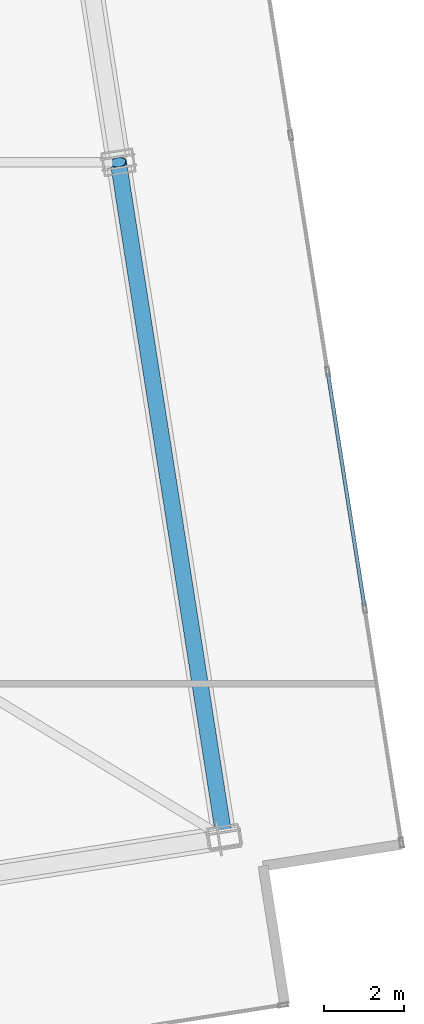
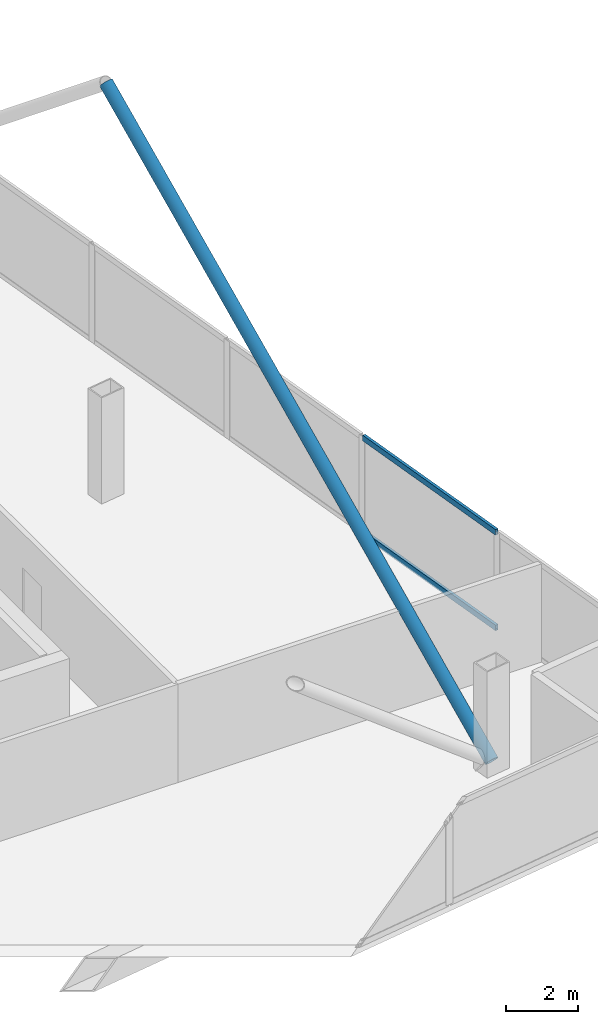
# One storey, part 10 of 21: 3 members, 1 element without a shape of its own.
"""IFC4 building model written with IfcOpenShell, lengths in metres."""

from ifc_helpers import new_model, si_unit, direction, frame, origin, origin_2d, place, context, subcontext, project, spatial, hollow_rectangle, hollow_circle, extrude, material, material_profile, profile_set, type_object, element, aggregate, save


model = new_model("IFC4")

# Units and contexts
model_context = context("Model", 3, precision=1e-05, world=origin(), true_north=direction((0.0, 1.0)))
body_context = subcontext(model_context, "Body", "Model", "MODEL_VIEW")
ifc_project = project(units=[si_unit("LENGTHUNIT", "METRE"), si_unit("AREAUNIT", "SQUARE_METRE"), si_unit("VOLUMEUNIT", "CUBIC_METRE"), si_unit("PLANEANGLEUNIT", "RADIAN"), si_unit("MASSUNIT", "GRAM", prefix="KILO")], contexts=[model_context])

# Site, building, storey
site_placement = place(None, origin())
site = spatial("IfcSite", under=ifc_project, at=site_placement, CompositionType="ELEMENT")
building_placement = place(site_placement, origin())
building = spatial("IfcBuilding", under=site, at=building_placement, Name="Haldenkirk Collegiate Tower", CompositionType="ELEMENT")
storey_placement = place(building_placement, frame((0.0, 0.0, 360.60009765625)))
storey = spatial("IfcBuildingStorey", under=building, at=storey_placement, Name="L91", CompositionType="ELEMENT", Elevation=360.60009765625)

# Curtain wall, members
ifc_material_1 = material(Name="Anodised architectural bronze aluminium", Category="aluminium")
curtain_wall_type = type_object("IfcCurtainWallType", Name="CW-SYS6-CROWN", PredefinedType="USERDEFINED", material=ifc_material_1)
curtain_wall_placement = place(storey_placement, origin())
curtain_wall = element("IfcCurtainWall", 1, at=curtain_wall_placement, inside=storey, type_object=curtain_wall_type, Name="L91 Closed crown ring ceramic-fritted bronze screen curtain wall", ObjectType="UNITISED CURTAIN WALL", PredefinedType="USERDEFINED")
ifc_material_profile_1 = material_profile(ifc_material_1, hollow_rectangle(XDim=0.090087890625, YDim=0.18994140625, WallThickness=0.0048828125, at=origin_2d()), Name="CW-TRN-06")
ifc_profile_set_1 = profile_set([ifc_material_profile_1], Name="Anodised architectural bronze aluminium")
member_type_1 = type_object("IfcMemberType", Name="CW-TRN-06", PredefinedType="USERDEFINED", material=ifc_profile_set_1)
member_1_placement = place(storey_placement, frame((57.874755859375, 23.340576171875, 0.044921875), z_axis=(0.154710174658, -0.987959898912, 0.0), x_axis=(0.987959898912, 0.154710174658, 0.0)))
member_1 = element("IfcMember", 2, at=member_1_placement, type_object=member_type_1, Name="CW-06 transom 5.1", ObjectType="TRANSOM", PredefinedType="USERDEFINED", context=body_context, shape_type="SweptSolid", body=[
    extrude(hollow_rectangle(XDim=0.090087890625, YDim=0.18994140625, WallThickness=0.0048828125, at=origin_2d()), origin(), (0.0, 0.0, 1.0), 5.876708984375),
])
member_2_placement = place(storey_placement, frame((57.874755859375, 23.340576171875, 3.284912109375), z_axis=(0.154710174658, -0.987959898912, 0.0), x_axis=(0.987959898912, 0.154710174658, 0.0)))
member_2 = element("IfcMember", 3, at=member_2_placement, type_object=member_type_1, Name="CW-06 transom 5.2", ObjectType="TRANSOM", PredefinedType="USERDEFINED", context=body_context, shape_type="SweptSolid", body=[
    extrude(hollow_rectangle(XDim=0.090087890625, YDim=0.18994140625, WallThickness=0.0048828125, at=origin_2d()), origin(), (0.0, 0.0, 1.0), 5.876708984375),
])
aggregate(curtain_wall, [member_1, member_2])

# Member
ifc_material_2 = material(Name="Steel ASTM A572 Grade 50", Category="steel")
ifc_material_profile_2 = material_profile(ifc_material_2, hollow_circle(Radius=0.202880859375, WallThickness=0.02001953125, at=origin_2d()), Name="CHS406X20")
ifc_profile_set_2 = profile_set([ifc_material_profile_2], Name="Steel ASTM A572 Grade 50")
member_type_2 = type_object("IfcMemberType", Name="MBR-CROWNBRACE-CHS406", PredefinedType="BRACE", material=ifc_profile_set_2)
member_3_placement = place(storey_placement, frame((55.284912109375, 11.76220703125, 0.25), z_axis=(-0.120596073371, 0.770145009101, 0.626365110814), x_axis=(-0.987960927819, -0.154703604037, 0.0)))
element("IfcMember", 4, at=member_3_placement, inside=storey, type_object=member_type_2, Name="Crown Ring Frame diagonal brace S1", PredefinedType="BRACE", context=body_context, shape_type="SweptSolid", body=[
    extrude(hollow_circle(Radius=0.202880859375, WallThickness=0.02001953125, at=origin_2d()), origin(), (0.0, 0.0, 1.0), 21.8720703125),
])

save(model, "model.ifc")
